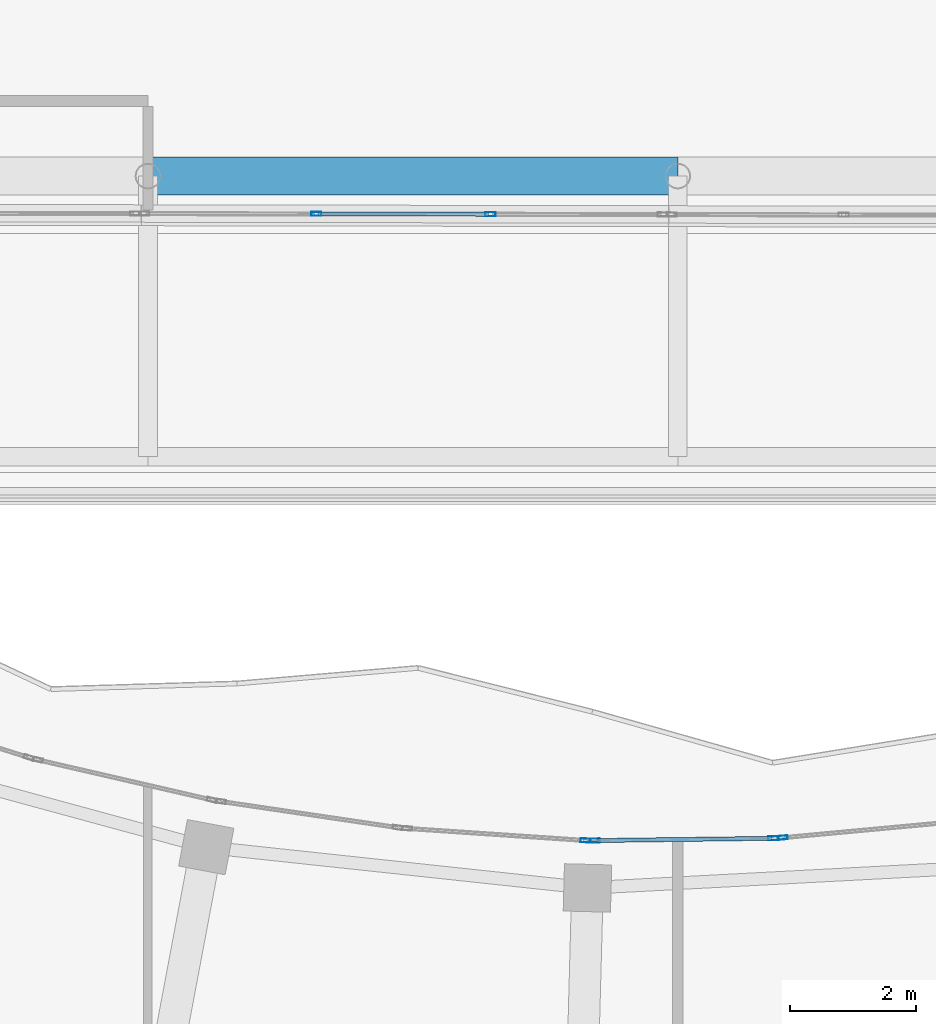
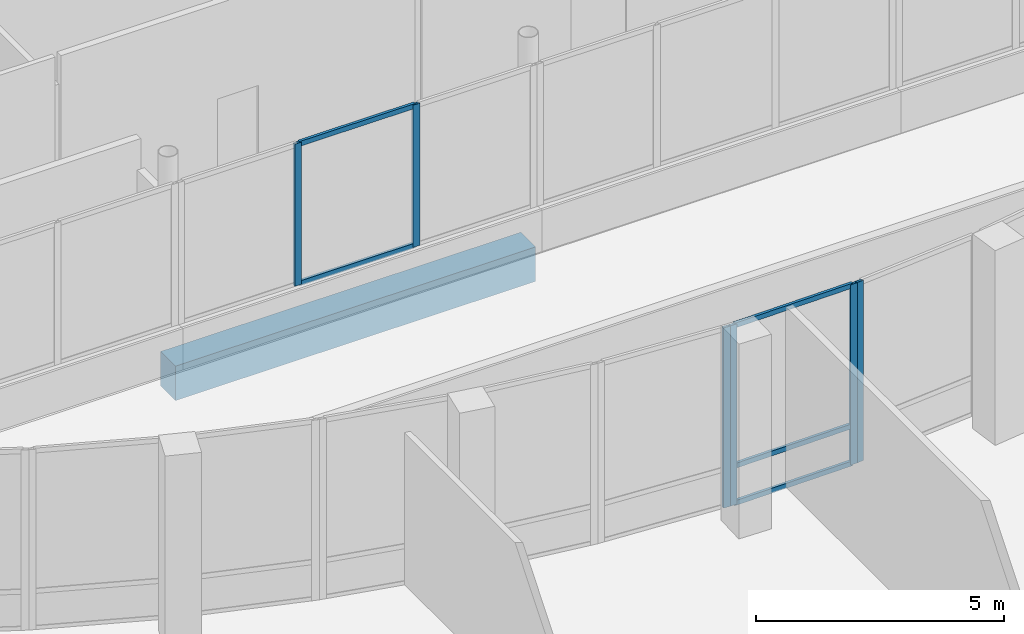
# One storey, part 34 of 168: 11 members, 1 beam, 4 elements without a shape of their own.
"""IFC4 building model written with IfcOpenShell, lengths in metres."""

from ifc_helpers import new_model, si_unit, direction, frame, origin, origin_2d, place, context, subcontext, project, spatial, rectangle, hollow_rectangle, extrude, material, material_profile, profile_set, type_object, element, aggregate, save


model = new_model("IFC4")

# Units and contexts
model_context = context("Model", 3, precision=1e-05, world=origin(), true_north=direction((0.0, 1.0)))
body_context = subcontext(model_context, "Body", "Model", "MODEL_VIEW")
ifc_project = project(units=[si_unit("LENGTHUNIT", "METRE"), si_unit("AREAUNIT", "SQUARE_METRE"), si_unit("VOLUMEUNIT", "CUBIC_METRE"), si_unit("PLANEANGLEUNIT", "RADIAN"), si_unit("MASSUNIT", "GRAM", prefix="KILO")], contexts=[model_context])

# Site, building, storey
site_placement = place(None, origin())
site = spatial("IfcSite", under=ifc_project, at=site_placement, CompositionType="ELEMENT")
building_placement = place(site_placement, origin())
building = spatial("IfcBuilding", under=site, at=building_placement, Name="Selatvlak General Hospital", CompositionType="ELEMENT")
storey_placement = place(building_placement, frame((0.0, 0.0, 5.39990234375)))
storey = spatial("IfcBuildingStorey", under=building, at=storey_placement, Name="L01", CompositionType="ELEMENT", Elevation=5.39990234375)

# Beam
ifc_material_1 = material(Name="Concrete C40/50", Category="concrete")
ifc_material_profile_1 = material_profile(ifc_material_1, rectangle(XDim=0.60009765625, YDim=0.85009765625, at=origin_2d()), Name="RC-BM 600x850")
ifc_profile_set_1 = profile_set([ifc_material_profile_1], Name="Concrete C40/50")
beam_type = type_object("IfcBeamType", Name="BM-G01", PredefinedType="BEAM", material=ifc_profile_set_1)
beam_placement = place(storey_placement, frame((48.0, 52.550048828125, -0.744873046875), z_axis=(1.0, 0.0, 0.0), x_axis=(0.0, 1.0, 0.0)))
element("IfcBeam", 1, at=beam_placement, inside=storey, type_object=beam_type, Name="Beam BMR-L01-0388", PredefinedType="BEAM", context=body_context, shape_type="SweptSolid", body=[
    extrude(rectangle(XDim=0.60009765625, YDim=0.85009765625, at=origin_2d()), origin(), (0.0, 0.0, 1.0), 8.39990234375),
])

# Curtain wall, member
ifc_material_2 = material(Name="Solar-control Low-E double glazing", Category="glass")
curtain_wall_type_1 = type_object("IfcCurtainWallType", Name="CW-CW-01", PredefinedType="USERDEFINED", material=ifc_material_2)
curtain_wall_1_placement = place(storey_placement, origin())
curtain_wall_1 = element("IfcCurtainWall", 2, at=curtain_wall_1_placement, inside=storey, type_object=curtain_wall_type_1, Name="Glazed facade curtain wall CW-L01-0197", ObjectType="UNITISED CURTAIN WALL", PredefinedType="USERDEFINED")
ifc_material_3 = material(Name="Dark anodised aluminium mullion", Category="aluminium")
ifc_material_profile_2 = material_profile(ifc_material_3, hollow_rectangle(XDim=0.06494140625, YDim=0.159912109375, WallThickness=0.00390625, at=origin_2d()), Name="AL-MUL 65x160x4")
ifc_profile_set_2 = profile_set([ifc_material_profile_2], Name="Dark anodised aluminium mullion")
member_type_1 = type_object("IfcMemberType", Name="CWM-01", PredefinedType="MULLION", material=ifc_profile_set_2)
member_1_placement = place(storey_placement, frame((54.9384765625, 42.01611328125, 0.0), z_axis=(0.0, 0.0, 1.0), x_axis=(0.067182127799, 0.997740728699, 0.0)))
member_1 = element("IfcMember", 3, at=member_1_placement, type_object=member_type_1, Name="CW-01 mullion 2", PredefinedType="MULLION", context=body_context, shape_type="SweptSolid", body=[
    extrude(hollow_rectangle(XDim=0.06494140625, YDim=0.159912109375, WallThickness=0.00390625, at=origin_2d()), origin(), (0.0, 0.0, 1.0), 4.445068359375),
])
aggregate(curtain_wall_1, [member_1])

# Curtain wall, members
curtain_wall_type_2 = type_object("IfcCurtainWallType", Name="CW-CW-02", PredefinedType="USERDEFINED", material=ifc_material_2)
curtain_wall_2_placement = place(storey_placement, origin())
curtain_wall_2 = element("IfcCurtainWall", 4, at=curtain_wall_2_placement, inside=storey, type_object=curtain_wall_type_2, Name="Glazed facade curtain wall CW-L01-0198", ObjectType="UNITISED CURTAIN WALL", PredefinedType="USERDEFINED")
member_2_placement = place(storey_placement, frame((55.08349609375, 42.014404296875, 0.0), z_axis=(0.0, 0.0, 1.0), x_axis=(-0.012761982337, 0.999918562587, 0.0)))
member_2 = element("IfcMember", 5, at=member_2_placement, type_object=member_type_1, Name="CW-02 mullion 1", PredefinedType="MULLION", context=body_context, shape_type="SweptSolid", body=[
    extrude(hollow_rectangle(XDim=0.06494140625, YDim=0.159912109375, WallThickness=0.00390625, at=origin_2d()), origin(), (0.0, 0.0, 1.0), 4.445068359375),
])
member_3_placement = place(storey_placement, frame((57.91748046875, 42.050537109375, 0.0), z_axis=(0.0, 0.0, 1.0), x_axis=(-0.012761982337, 0.999918562587, 0.0)))
member_3 = element("IfcMember", 6, at=member_3_placement, type_object=member_type_1, Name="CW-02 mullion 2", PredefinedType="MULLION", context=body_context, shape_type="SweptSolid", body=[
    extrude(hollow_rectangle(XDim=0.06494140625, YDim=0.159912109375, WallThickness=0.00390625, at=origin_2d()), origin(), (0.0, 0.0, 1.0), 4.445068359375),
])

# Curtain wall, member
curtain_wall_3_placement = place(storey_placement, origin())
curtain_wall_3 = element("IfcCurtainWall", 7, at=curtain_wall_3_placement, inside=storey, type_object=curtain_wall_type_1, Name="Glazed facade curtain wall CW-L01-0199", ObjectType="UNITISED CURTAIN WALL", PredefinedType="USERDEFINED")
member_4_placement = place(storey_placement, frame((58.062255859375, 42.06005859375, 0.0), z_axis=(0.0, 0.0, 1.0), x_axis=(-0.092369074668, 0.99572483852, 0.0)))
member_4 = element("IfcMember", 8, at=member_4_placement, type_object=member_type_1, Name="CW-01 mullion 1", PredefinedType="MULLION", context=body_context, shape_type="SweptSolid", body=[
    extrude(hollow_rectangle(XDim=0.06494140625, YDim=0.159912109375, WallThickness=0.00390625, at=origin_2d()), origin(), (0.0, 0.0, 1.0), 4.445068359375),
])
aggregate(curtain_wall_3, [member_4])

# Curtain wall, members
curtain_wall_4_placement = place(storey_placement, origin())
curtain_wall_4 = element("IfcCurtainWall", 9, at=curtain_wall_4_placement, inside=storey, type_object=curtain_wall_type_2, Name="Glazed facade curtain wall CW-L01-0211", ObjectType="UNITISED CURTAIN WALL", PredefinedType="USERDEFINED")
member_5_placement = place(storey_placement, frame((53.4306640625, 51.945068359375, 0.940185546875), z_axis=(0.0, 0.0, 1.0), x_axis=(-0.001811372463, -0.999998359464, 0.0)))
member_5 = element("IfcMember", 10, at=member_5_placement, type_object=member_type_1, Name="CW-02 mullion 2", PredefinedType="MULLION", context=body_context, shape_type="SweptSolid", body=[
    extrude(hollow_rectangle(XDim=0.06494140625, YDim=0.159912109375, WallThickness=0.00390625, at=origin_2d()), origin(), (0.0, 0.0, 1.0), 3.5048828125),
])
member_6_placement = place(storey_placement, frame((50.67041015625, 51.949951171875, 0.940185546875), z_axis=(0.0, 0.0, 1.0), x_axis=(-0.001811372463, -0.999998359464, 0.0)))
member_6 = element("IfcMember", 11, at=member_6_placement, type_object=member_type_1, Name="CW-02 mullion 3", PredefinedType="MULLION", context=body_context, shape_type="SweptSolid", body=[
    extrude(hollow_rectangle(XDim=0.06494140625, YDim=0.159912109375, WallThickness=0.00390625, at=origin_2d()), origin(), (0.0, 0.0, 1.0), 3.5048828125),
])

# Member
ifc_material_profile_3 = material_profile(ifc_material_3, hollow_rectangle(XDim=0.06494140625, YDim=0.1201171875, WallThickness=0.00390625, at=origin_2d()), Name="AL-TRN 65x120x4")
ifc_profile_set_3 = profile_set([ifc_material_profile_3], Name="Dark anodised aluminium mullion")
member_type_2 = type_object("IfcMemberType", Name="CWT-01", PredefinedType="USERDEFINED", material=ifc_profile_set_3)
member_7_placement = place(storey_placement, frame((55.115966796875, 42.014892578125, 0.03271484375), z_axis=(0.999919413331, 0.012695150372, 0.0), x_axis=(-0.012695150372, 0.999919413331, 0.0)))
member_7 = element("IfcMember", 12, at=member_7_placement, type_object=member_type_2, Name="CW-02 transom 1.1", ObjectType="TRANSOM", PredefinedType="USERDEFINED", context=body_context, shape_type="SweptSolid", body=[
    extrude(hollow_rectangle(XDim=0.06494140625, YDim=0.1201171875, WallThickness=0.00390625, at=origin_2d()), origin(), (0.0, 0.0, 1.0), 2.769287109375),
])

member_8_placement = place(storey_placement, frame((55.115966796875, 42.014892578125, 0.9501953125), z_axis=(0.999919413331, 0.012695150372, 0.0), x_axis=(-0.012695150372, 0.999919413331, 0.0)))
member_8 = element("IfcMember", 13, at=member_8_placement, type_object=member_type_2, Name="CW-02 transom 1.2", ObjectType="TRANSOM", PredefinedType="USERDEFINED", context=body_context, shape_type="SweptSolid", body=[
    extrude(hollow_rectangle(XDim=0.06494140625, YDim=0.1201171875, WallThickness=0.00390625, at=origin_2d()), origin(), (0.0, 0.0, 1.0), 2.769287109375),
])

member_9_placement = place(storey_placement, frame((55.115966796875, 42.014892578125, 4.41259765625), z_axis=(0.999919413331, 0.012695150372, 0.0), x_axis=(-0.012695150372, 0.999919413331, 0.0)))
member_9 = element("IfcMember", 14, at=member_9_placement, type_object=member_type_2, Name="CW-02 transom 1.3", ObjectType="TRANSOM", PredefinedType="USERDEFINED", context=body_context, shape_type="SweptSolid", body=[
    extrude(hollow_rectangle(XDim=0.06494140625, YDim=0.1201171875, WallThickness=0.00390625, at=origin_2d()), origin(), (0.0, 0.0, 1.0), 2.769287109375),
])

aggregate(curtain_wall_2, [member_2, member_3, member_7, member_8, member_9])

member_10_placement = place(storey_placement, frame((53.398193359375, 51.945068359375, 0.97265625), z_axis=(-0.999998359067, 0.00181159123, 0.0), x_axis=(-0.00181159123, -0.999998359067, 0.0)))
member_10 = element("IfcMember", 15, at=member_10_placement, type_object=member_type_2, Name="CW-02 transom 2.1", ObjectType="TRANSOM", PredefinedType="USERDEFINED", context=body_context, shape_type="SweptSolid", body=[
    extrude(hollow_rectangle(XDim=0.06494140625, YDim=0.1201171875, WallThickness=0.00390625, at=origin_2d()), origin(), (0.0, 0.0, 1.0), 2.6953125),
])

member_11_placement = place(storey_placement, frame((53.398193359375, 51.945068359375, 4.41259765625), z_axis=(-0.999998359067, 0.00181159123, 0.0), x_axis=(-0.00181159123, -0.999998359067, 0.0)))
member_11 = element("IfcMember", 16, at=member_11_placement, type_object=member_type_2, Name="CW-02 transom 2.2", ObjectType="TRANSOM", PredefinedType="USERDEFINED", context=body_context, shape_type="SweptSolid", body=[
    extrude(hollow_rectangle(XDim=0.06494140625, YDim=0.1201171875, WallThickness=0.00390625, at=origin_2d()), origin(), (0.0, 0.0, 1.0), 2.6953125),
])

aggregate(curtain_wall_4, [member_5, member_6, member_10, member_11])

save(model, "model.ifc")
